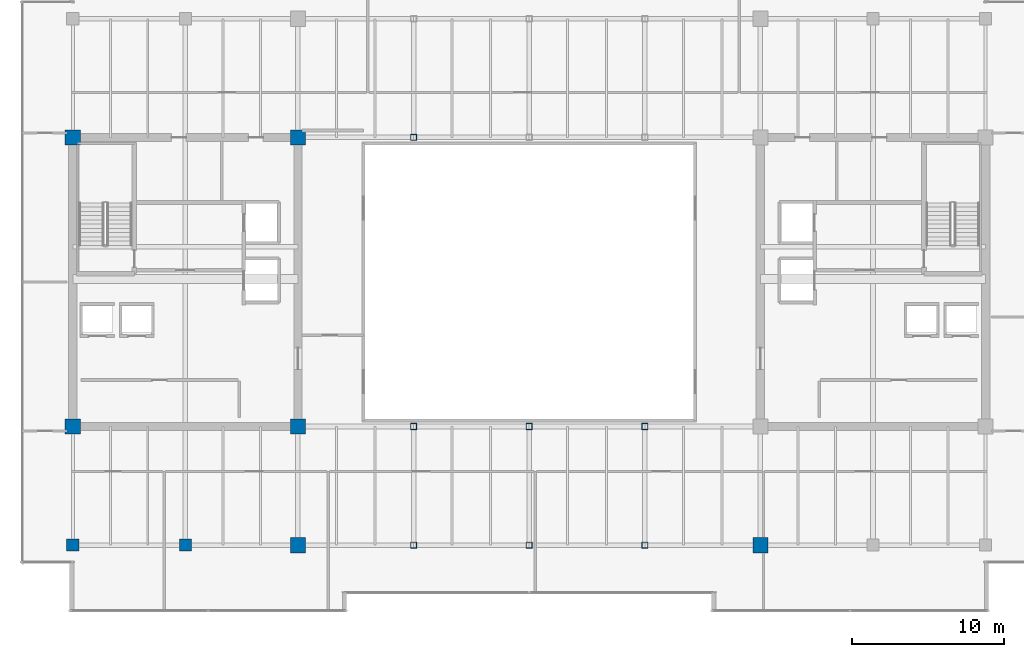
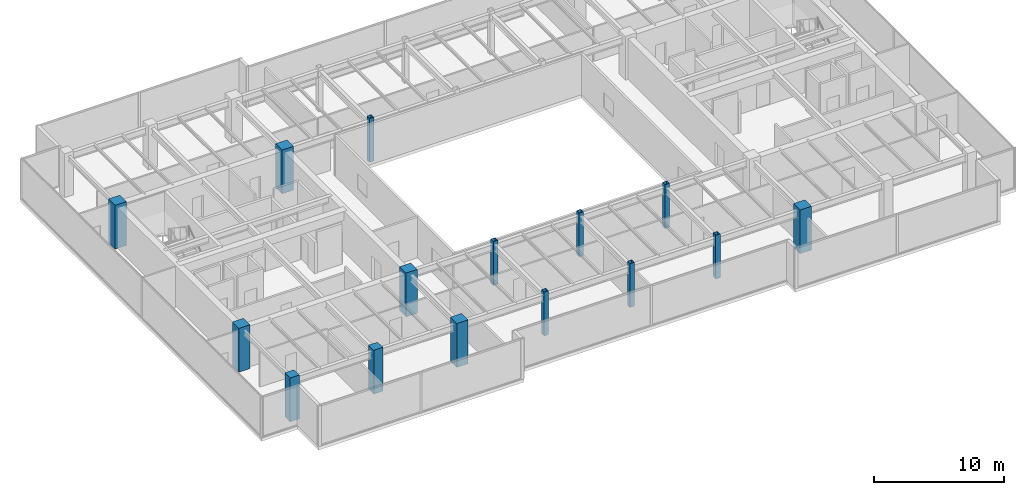
# One storey, part 1 of 33: 15 columns.
"""IFC4 building model written with IfcOpenShell, lengths in metres."""

from ifc_helpers import new_model, si_unit, direction, frame, origin, origin_2d, place, context, subcontext, project, spatial, rectangle, hollow_rectangle, extrude, source, transform, mapped, material, material_profile, profile_set, type_object, type_shapes, element, save


model = new_model("IFC4")

# Units and contexts
model_context = context("Model", 3, precision=1e-05, world=origin(), true_north=direction((0.0, 1.0)))
body_context = subcontext(model_context, "Body", "Model", "MODEL_VIEW")
ifc_project = project(units=[si_unit("LENGTHUNIT", "METRE"), si_unit("AREAUNIT", "SQUARE_METRE"), si_unit("VOLUMEUNIT", "CUBIC_METRE"), si_unit("PLANEANGLEUNIT", "RADIAN"), si_unit("MASSUNIT", "GRAM", prefix="KILO")], contexts=[model_context])

# Site, building, storey
site_placement = place(None, origin())
site = spatial("IfcSite", under=ifc_project, at=site_placement, CompositionType="ELEMENT")
building_placement = place(site_placement, origin())
building = spatial("IfcBuilding", under=site, at=building_placement, Name="Haelvirn Gate Laboratories", CompositionType="ELEMENT")
storey_placement = place(building_placement, frame((0.0, 0.0, 267.0)))
storey = spatial("IfcBuildingStorey", under=building, at=storey_placement, Name="L64", CompositionType="ELEMENT", Elevation=267.0)

# Columns
ifc_material_1 = material(Name="Concrete C60/75", Category="concrete")
ifc_material_profile_1 = material_profile(ifc_material_1, rectangle(XDim=1.0, YDim=1.0, at=origin_2d()), Name="RC-1000x1000")
ifc_profile_set_1 = profile_set([ifc_material_profile_1], Name="Concrete C60/75")
column_type_1 = type_object("IfcColumnType", Name="COL-RC-1000", PredefinedType="COLUMN", material=ifc_profile_set_1)
shared_shape_1 = source(origin(), body_context, "Body", "SweptSolid", [
    extrude(rectangle(XDim=1.0, YDim=1.0, at=origin_2d()), origin(), (0.0, 0.0, 1.0), 4.10009765625),
])
type_shapes(column_type_1, [shared_shape_1])
for number, where, z_axis, x_axis, name in (
    (1, (22.199951171875, 7.0, 0.0), (0.0, 0.0, 1.0), (1.0, 0.0, 0.0), "L64 Column 4B"),
    (2, (7.39990234375, 14.800048828125, 0.0), (0.0, 0.0, 1.0), (1.0, 0.0, 0.0), "L64 Column 2C"),
    (3, (22.199951171875, 14.800048828125, 0.0), (0.0, 0.0, 1.0), (1.0, 0.0, 0.0), "L64 Column 4C"),
    (4, (7.39990234375, 33.800048828125, 0.0), (0.0, 0.0, 1.0), (1.0, 0.0, 0.0), "L64 Column 2F"),
    (5, (22.199951171875, 33.800048828125, 0.0), (0.0, 0.0, 1.0), (1.0, 0.0, 0.0), "L64 Column 4F"),
    (6, (52.60009765625, 7.0, 0.0), (0.0, 0.0, 1.0), (1.0, 0.0, 0.0), "L64 Column 8B"),
):
    element("IfcColumn", number, at=place(storey_placement, frame(where, z_axis=z_axis, x_axis=x_axis)), inside=storey, type_object=column_type_1, Name=name, PredefinedType="COLUMN", context=body_context, shape_type="MappedRepresentation", body=[
        mapped(shared_shape_1, transform((0.0, 0.0, 0.0), scale=1.0)),
    ])
ifc_material_2 = material(Name="Concrete C50/60", Category="concrete")
ifc_material_profile_2 = material_profile(ifc_material_2, rectangle(XDim=0.800048828125, YDim=0.800048828125, at=origin_2d()), Name="RC-800x800")
ifc_profile_set_2 = profile_set([ifc_material_profile_2], Name="Concrete C50/60")
column_type_2 = type_object("IfcColumnType", Name="COL-RC-800", PredefinedType="COLUMN", material=ifc_profile_set_2)
shared_shape_2 = source(origin(), body_context, "Body", "SweptSolid", [
    extrude(rectangle(XDim=0.800048828125, YDim=0.800048828125, at=origin_2d()), origin(), (0.0, 0.0, 1.0), 4.10009765625),
])
type_shapes(column_type_2, [shared_shape_2])
for number, where, z_axis, x_axis, name in (
    (7, (14.800048828125, 7.0, 0.0), (0.0, 0.0, 1.0), (1.0, 0.0, 0.0), "L64 Column 3B"),
    (8, (7.39990234375, 7.0, 0.0), (0.0, 0.0, 1.0), (1.0, 0.0, 0.0), "L64 Column 2B"),
):
    element("IfcColumn", number, at=place(storey_placement, frame(where, z_axis=z_axis, x_axis=x_axis)), inside=storey, type_object=column_type_2, Name=name, PredefinedType="COLUMN", context=body_context, shape_type="MappedRepresentation", body=[
        mapped(shared_shape_2, transform((0.0, 0.0, 0.0), scale=1.0)),
    ])
ifc_material_3 = material(Name="Steel SM355", Category="steel")
ifc_material_profile_3 = material_profile(ifc_material_3, hollow_rectangle(XDim=0.39990234375, YDim=0.39990234375, WallThickness=0.01904296875, at=origin_2d()), Name="BOX-400x400x19")
ifc_profile_set_3 = profile_set([ifc_material_profile_3], Name="Steel SM355")
column_type_3 = type_object("IfcColumnType", Name="COL-BOX-400", PredefinedType="COLUMN", material=ifc_profile_set_3)
shared_shape_3 = source(origin(), body_context, "Body", "SweptSolid", [
    extrude(hollow_rectangle(XDim=0.39990234375, YDim=0.39990234375, WallThickness=0.01904296875, at=origin_2d()), origin(), (0.0, 0.0, 1.0), 4.10009765625),
])
type_shapes(column_type_3, [shared_shape_3])
for number, where, z_axis, x_axis, name in (
    (9, (29.800048828125, 7.0, 0.0), (0.0, 0.0, 1.0), (1.0, 0.0, 0.0), "L64 Column 5B"),
    (10, (29.800048828125, 14.800048828125, 0.0), (0.0, 0.0, 1.0), (1.0, 0.0, 0.0), "L64 Column 5C"),
    (11, (29.800048828125, 33.800048828125, 0.0), (0.0, 0.0, 1.0), (1.0, 0.0, 0.0), "L64 Column 5F"),
    (12, (37.39990234375, 7.0, 0.0), (0.0, 0.0, 1.0), (1.0, 0.0, 0.0), "L64 Column 6B"),
    (13, (37.39990234375, 14.800048828125, 0.0), (0.0, 0.0, 1.0), (1.0, 0.0, 0.0), "L64 Column 6C"),
    (14, (45.0, 7.0, 0.0), (0.0, 0.0, 1.0), (1.0, 0.0, 0.0), "L64 Column 7B"),
    (15, (45.0, 14.800048828125, 0.0), (0.0, 0.0, 1.0), (1.0, 0.0, 0.0), "L64 Column 7C"),
):
    element("IfcColumn", number, at=place(storey_placement, frame(where, z_axis=z_axis, x_axis=x_axis)), inside=storey, type_object=column_type_3, Name=name, PredefinedType="COLUMN", context=body_context, shape_type="MappedRepresentation", body=[
        mapped(shared_shape_3, transform((0.0, 0.0, 0.0), scale=1.0)),
    ])

save(model, "model.ifc")
